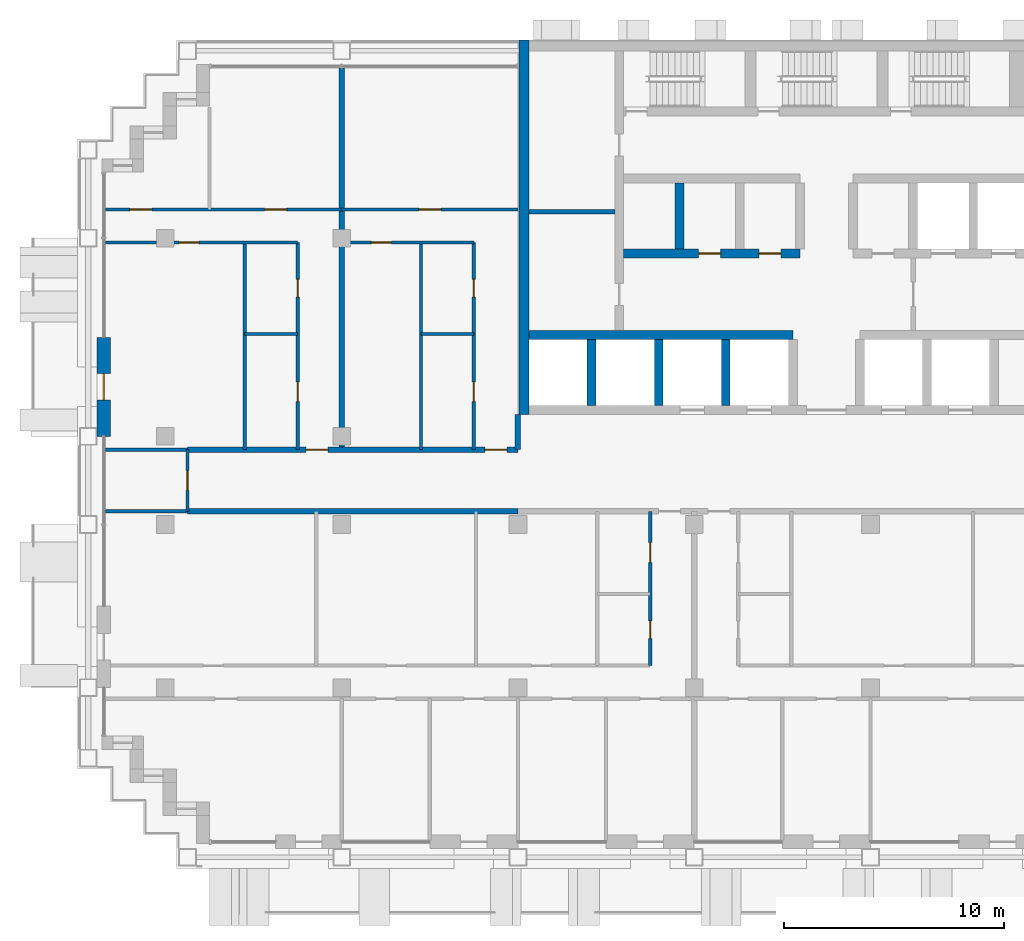
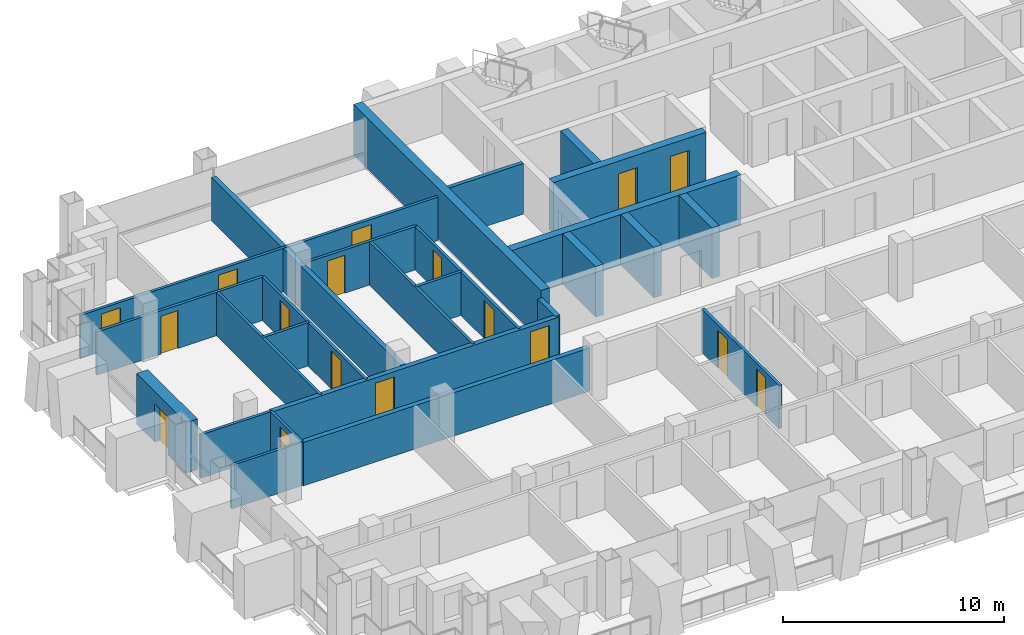
# One storey, part 8 of 17: 27 walls, 17 doors, 17 openings.
"""IFC4 building model written with IfcOpenShell, lengths in metres."""

from ifc_helpers import new_model, si_unit, direction, frame, frame_2d, origin, place, context, subcontext, project, spatial, rectangle, extrude, material, layer, layer_set, type_object, element, fill, save


model = new_model("IFC4")

# Units and contexts
model_context = context("Model", 3, precision=1e-05, world=origin(), true_north=direction((0.0, 1.0)))
body_context = subcontext(model_context, "Body", "Model", "MODEL_VIEW")
ifc_project = project(units=[si_unit("LENGTHUNIT", "METRE"), si_unit("AREAUNIT", "SQUARE_METRE"), si_unit("VOLUMEUNIT", "CUBIC_METRE"), si_unit("PLANEANGLEUNIT", "RADIAN"), si_unit("MASSUNIT", "GRAM", prefix="KILO")], contexts=[model_context])

# Site, building, storey
site_placement = place(None, origin())
site = spatial("IfcSite", under=ifc_project, at=site_placement, CompositionType="ELEMENT")
building_placement = place(site_placement, origin())
building = spatial("IfcBuilding", under=site, at=building_placement, Name="Vidyagriha Tower", CompositionType="ELEMENT")
storey_placement = place(building_placement, frame((0.0, 0.0, 148.60009765625)))
storey = spatial("IfcBuildingStorey", under=building, at=storey_placement, Name="L39", CompositionType="ELEMENT", Elevation=148.60009765625)

# Wall, opening, door
ifc_material_1 = material(Name="Precast concrete C40/50 with brick facing", Category="concrete")
ifc_layer_1 = layer(ifc_material_1, 0.60009765625)
ifc_layer_set_1 = layer_set([ifc_layer_1], Name="Precast concrete C40/50 with brick facing")
wall_type_1 = type_object("IfcWallType", Name="Brick-faced precast wall 600", PredefinedType="STANDARD", material=ifc_layer_set_1)
wall_1_placement = place(storey_placement, frame((-32.800048828125, 6.5, 0.0), z_axis=(0.0, 0.0, 1.0), x_axis=(0.0, -1.0, 0.0)))
wall_1 = element("IfcWall", 1, at=wall_1_placement, inside=storey, type_object=wall_type_1, Name="Brick door bay wall L39 R16.3", PredefinedType="STANDARD", context=body_context, shape_type="SweptSolid", body=[
    extrude(rectangle(XDim=4.5, YDim=0.60009765625, at=frame_2d((2.25, 0.0))), origin(), (0.0, 0.0, 1.0), 2.7998046875),
])
opening_1_placement = place(wall_1_placement, frame((1.64990234375, 0.0, 0.0)))
opening_1 = element("IfcOpeningElement", 2, at=opening_1_placement, cuts=wall_1, Name="Opening D39-66", PredefinedType="OPENING", context=body_context, shape_type="SweptSolid", body=[
    extrude(rectangle(XDim=1.199951171875, YDim=2.10009765625, at=frame_2d((0.60009765625, 1.050048828125))), frame((0.0, 0.31005859375, 0.0), z_axis=(0.0, -1.0, 0.0), x_axis=(1.0, 0.0, 0.0)), (0.0, 0.0, 1.0), 0.6201171875),
])
ifc_material_2 = material(Name="Aluminium framed glazed sliding door", Category="aluminium")
door_type_1 = type_object("IfcDoorType", Name="Balcony sliding door 1200x2100", OperationType="NOTDEFINED", PredefinedType="DOOR", material=ifc_material_2)
door_1_placement = place(opening_1_placement, origin())
door_1 = element("IfcDoor", 3, at=door_1_placement, inside=storey, type_object=door_type_1, Name="Door D39-66", OperationType="SLIDING_TO_LEFT", OverallHeight=2.10009765625, OverallWidth=1.199951171875, PredefinedType="DOOR", context=body_context, shape_type="SweptSolid", body=[
    extrude(rectangle(XDim=1.199951171875, YDim=2.10009765625, at=frame_2d((0.60009765625, 1.050048828125))), frame((0.0, 0.02490234375, 0.0), z_axis=(0.0, -1.0, 0.0), x_axis=(1.0, 0.0, 0.0)), (0.0, 0.0, 1.0), 0.050048828125),
])
fill(opening_1, door_1)

# Walls
ifc_material_3 = material(Name="Concrete C60/75", Category="concrete")
ifc_layer_2 = layer(ifc_material_3, 0.39990234375)
ifc_layer_set_2 = layer_set([ifc_layer_2], Name="Concrete C60/75")
wall_type_2 = type_object("IfcWallType", Name="Core shear wall 400 mm", PredefinedType="SHEAR", material=ifc_layer_set_2)
wall_2_placement = place(storey_placement, frame((-13.5, 6.60009765625, 0.0)))
element("IfcWall", 4, at=wall_2_placement, inside=storey, type_object=wall_type_2, Name="Core lobby south wall west", PredefinedType="SHEAR", context=body_context, shape_type="SweptSolid", body=[
    extrude(rectangle(XDim=11.977783203125, YDim=0.39990234375, at=frame_2d((5.98876953125, 0.0))), origin(), (0.0, 0.0, 1.0), 2.7998046875),
])
for number, where, z_axis, x_axis, name in (
    (5, (-10.655517578125, 3.39990234375, 0.0), (0.0, 0.0, 1.0), (0.0, 1.0, 0.0), "Core bay wall S1"),
    (6, (-7.611083984375, 3.39990234375, 0.0), (0.0, 0.0, 1.0), (0.0, 1.0, 0.0), "Core bay wall S2"),
    (7, (-4.566650390625, 3.39990234375, 0.0), (0.0, 0.0, 1.0), (0.0, 1.0, 0.0), "Core bay wall S3"),
):
    element("IfcWall", number, at=place(storey_placement, frame(where, z_axis=z_axis, x_axis=x_axis)), inside=storey, type_object=wall_type_2, Name=name, PredefinedType="SHEAR", context=body_context, shape_type="SweptSolid", body=[
        extrude(rectangle(XDim=3.0, YDim=0.39990234375, at=frame_2d((1.5, 0.0))), origin(), (0.0, 0.0, 1.0), 2.7998046875),
    ])

# Wall, openings, doors
wall_3_placement = place(storey_placement, frame((-9.199951171875, 10.300048828125, 0.0)))
wall_3 = element("IfcWall", 8, at=wall_3_placement, inside=storey, type_object=wall_type_2, Name="Core row N front wall", PredefinedType="SHEAR", context=body_context, shape_type="SweptSolid", body=[
    extrude(rectangle(XDim=8.0, YDim=0.39990234375, at=frame_2d((4.0, 0.0))), origin(), (0.0, 0.0, 1.0), 2.7998046875),
])
opening_2_placement = place(wall_3_placement, frame((3.39990234375, 0.0, 0.0)))
opening_2 = element("IfcOpeningElement", 9, at=opening_2_placement, cuts=wall_3, Name="Opening D39-02", PredefinedType="OPENING", context=body_context, shape_type="SweptSolid", body=[
    extrude(rectangle(XDim=1.0, YDim=2.10009765625, at=frame_2d((0.5, 1.050048828125))), frame((0.0, 0.2099609375, 0.0), z_axis=(0.0, -1.0, 0.0), x_axis=(1.0, 0.0, 0.0)), (0.0, 0.0, 1.0), 0.419921875),
])
opening_3_placement = place(wall_3_placement, frame((6.13330078125, 0.0, 0.0)))
opening_3 = element("IfcOpeningElement", 10, at=opening_3_placement, cuts=wall_3, Name="Opening D39-03", PredefinedType="OPENING", context=body_context, shape_type="SweptSolid", body=[
    extrude(rectangle(XDim=1.0, YDim=2.10009765625, at=frame_2d((0.5, 1.050048828125))), frame((0.0, 0.2099609375, 0.0), z_axis=(0.0, -1.0, 0.0), x_axis=(1.0, 0.0, 0.0)), (0.0, 0.0, 1.0), 0.419921875),
])
ifc_material_4 = material(Name="Hollow metal door leaf")
door_type_2 = type_object("IfcDoorType", Name="Core room door 1000 x 2100 mm EI 60", OperationType="NOTDEFINED", PredefinedType="DOOR", material=ifc_material_4)
door_2_placement = place(opening_2_placement, frame((1.0, 0.0, 0.0), z_axis=(0.0, 0.0, 1.0), x_axis=(-1.0, 0.0, 0.0)))
door_2 = element("IfcDoor", 11, at=door_2_placement, inside=storey, type_object=door_type_2, Name="Door Cleaners Store 39.14", OperationType="SINGLE_SWING_RIGHT", OverallHeight=2.10009765625, OverallWidth=1.0, PredefinedType="DOOR", context=body_context, shape_type="SweptSolid", body=[
    extrude(rectangle(XDim=1.0, YDim=2.10009765625, at=frame_2d((0.5, 1.050048828125))), frame((0.0, 0.02490234375, 0.0), z_axis=(0.0, -1.0, 0.0), x_axis=(1.0, 0.0, 0.0)), (0.0, 0.0, 1.0), 0.050048828125),
])
fill(opening_2, door_2)
door_3_placement = place(opening_3_placement, frame((1.0, 0.0, 0.0), z_axis=(0.0, 0.0, 1.0), x_axis=(-1.0, 0.0, 0.0)))
door_3 = element("IfcDoor", 12, at=door_3_placement, inside=storey, type_object=door_type_2, Name="Door Pressurisation Plant Room 39.15", OperationType="SINGLE_SWING_LEFT", OverallHeight=2.10009765625, OverallWidth=1.0, PredefinedType="DOOR", context=body_context, shape_type="SweptSolid", body=[
    extrude(rectangle(XDim=1.0, YDim=2.10009765625, at=frame_2d((0.5, 1.050048828125))), frame((0.0, 0.02490234375, 0.0), z_axis=(0.0, -1.0, 0.0), x_axis=(1.0, 0.0, 0.0)), (0.0, 0.0, 1.0), 0.050048828125),
])
fill(opening_3, door_3)

# Walls
wall_4_placement = place(storey_placement, frame((-6.666748046875, 10.5, 0.0), z_axis=(0.0, 0.0, 1.0), x_axis=(0.0, 1.0, 0.0)))
element("IfcWall", 13, at=wall_4_placement, inside=storey, type_object=wall_type_2, Name="Core bay wall N1", PredefinedType="SHEAR", context=body_context, shape_type="SweptSolid", body=[
    extrude(rectangle(XDim=3.0, YDim=0.39990234375, at=frame_2d((1.5, 0.0))), origin(), (0.0, 0.0, 1.0), 2.7998046875),
])
ifc_material_5 = material(Name="Concrete C60/75", Category="concrete")
ifc_layer_3 = layer(ifc_material_5, 0.449951171875)
ifc_layer_set_3 = layer_set([ifc_layer_3], Name="Concrete C60/75")
wall_type_3 = type_object("IfcWallType", Name="Core shear wall 450 mm", PredefinedType="SHEAR", material=ifc_layer_set_3)
wall_5_placement = place(storey_placement, frame((-13.72509765625, 3.0, 0.0), z_axis=(0.0, 0.0, 1.0), x_axis=(0.0, 1.0, 0.0)))
element("IfcWall", 14, at=wall_5_placement, inside=storey, type_object=wall_type_3, Name="Core west wall", PredefinedType="SHEAR", context=body_context, shape_type="SweptSolid", body=[
    extrude(rectangle(XDim=17.0, YDim=0.449951171875, at=frame_2d((8.5, 0.0))), origin(), (0.0, 0.0, 1.0), 2.7998046875),
])
ifc_material_6 = material(Name="Fired clay brick masonry", Category="masonry")
ifc_layer_4 = layer(ifc_material_6, 0.25)
ifc_layer_set_4 = layer_set([ifc_layer_4], Name="Fired clay brick masonry")
wall_type_4 = type_object("IfcWallType", Name="Fired clay brick corridor wall 250", PredefinedType="PARTITIONING", material=ifc_layer_set_4)
wall_6_placement = place(storey_placement, frame((-14.0, -1.39990234375, 0.0), z_axis=(0.0, 0.0, 1.0), x_axis=(-1.0, 0.0, 0.0)))
element("IfcWall", 15, at=wall_6_placement, inside=storey, type_object=wall_type_4, Name="Wall all-L39-w061", PredefinedType="PARTITIONING", context=body_context, shape_type="SweptSolid", body=[
    extrude(rectangle(XDim=15.0, YDim=0.25, at=frame_2d((7.5, 0.0))), origin(), (0.0, 0.0, 1.0), 2.39990234375),
])

# Wall, openings, doors
wall_7_placement = place(storey_placement, frame((-29.0, 1.39990234375, 0.0)))
wall_7 = element("IfcWall", 16, at=wall_7_placement, inside=storey, type_object=wall_type_4, Name="Wall all-L39-w088", PredefinedType="PARTITIONING", context=body_context, shape_type="SweptSolid", body=[
    extrude(rectangle(XDim=15.0, YDim=0.25, at=frame_2d((7.5, 0.0))), origin(), (0.0, 0.0, 1.0), 2.39990234375),
])
opening_4_placement = place(wall_7_placement, frame((5.382080078125, 0.0, 0.0)))
opening_4 = element("IfcOpeningElement", 17, at=opening_4_placement, cuts=wall_7, Name="Opening D39-48", PredefinedType="OPENING", context=body_context, shape_type="SweptSolid", body=[
    extrude(rectangle(XDim=1.0, YDim=2.10009765625, at=frame_2d((0.5, 1.050048828125))), frame((0.0, 0.135009765625, 0.0), z_axis=(0.0, -1.0, 0.0), x_axis=(1.0, 0.0, 0.0)), (0.0, 0.0, 1.0), 0.27001953125),
])
opening_5_placement = place(wall_7_placement, frame((13.5, 0.0, 0.0)))
opening_5 = element("IfcOpeningElement", 18, at=opening_5_placement, cuts=wall_7, Name="Opening D39-53", PredefinedType="OPENING", context=body_context, shape_type="SweptSolid", body=[
    extrude(rectangle(XDim=1.0, YDim=2.10009765625, at=frame_2d((0.5, 1.050048828125))), frame((0.0, 0.135009765625, 0.0), z_axis=(0.0, -1.0, 0.0), x_axis=(1.0, 0.0, 0.0)), (0.0, 0.0, 1.0), 0.27001953125),
])
ifc_material_7 = material(Name="Fire-rated timber door leaf EI 60", Category="wood")
door_type_3 = type_object("IfcDoorType", Name="Flat entrance fire door 1000x2100", OperationType="NOTDEFINED", PredefinedType="DOOR", material=ifc_material_7)
door_4_placement = place(opening_4_placement, origin())
door_4 = element("IfcDoor", 19, at=door_4_placement, inside=storey, type_object=door_type_3, Name="Door D39-48", OperationType="SINGLE_SWING_RIGHT", OverallHeight=2.10009765625, OverallWidth=1.0, PredefinedType="DOOR", context=body_context, shape_type="SweptSolid", body=[
    extrude(rectangle(XDim=1.0, YDim=2.10009765625, at=frame_2d((0.5, 1.050048828125))), frame((0.0, 0.02490234375, 0.0), z_axis=(0.0, -1.0, 0.0), x_axis=(1.0, 0.0, 0.0)), (0.0, 0.0, 1.0), 0.050048828125),
])
fill(opening_4, door_4)
door_5_placement = place(opening_5_placement, origin())
door_5 = element("IfcDoor", 20, at=door_5_placement, inside=storey, type_object=door_type_3, Name="Door D39-53", OperationType="SINGLE_SWING_RIGHT", OverallHeight=2.10009765625, OverallWidth=1.0, PredefinedType="DOOR", context=body_context, shape_type="SweptSolid", body=[
    extrude(rectangle(XDim=1.0, YDim=2.10009765625, at=frame_2d((0.5, 1.050048828125))), frame((0.0, 0.02490234375, 0.0), z_axis=(0.0, -1.0, 0.0), x_axis=(1.0, 0.0, 0.0)), (0.0, 0.0, 1.0), 0.050048828125),
])
fill(opening_5, door_5)

# Walls
wall_8_placement = place(storey_placement, frame((-14.0, 3.0, 0.0), z_axis=(0.0, 0.0, 1.0), x_axis=(0.0, -1.0, 0.0)))
element("IfcWall", 21, at=wall_8_placement, inside=storey, type_object=wall_type_4, Name="Wall all-L39-w118", PredefinedType="PARTITIONING", context=body_context, shape_type="SweptSolid", body=[
    extrude(rectangle(XDim=1.60009765625, YDim=0.25, at=frame_2d((0.800048828125, 0.0))), origin(), (0.0, 0.0, 1.0), 2.39990234375),
])
ifc_material_8 = material(Name="Fired clay brick masonry", Category="masonry")
ifc_layer_5 = layer(ifc_material_8, 0.25)
ifc_layer_set_5 = layer_set([ifc_layer_5], Name="Fired clay brick masonry")
wall_type_5 = type_object("IfcWallType", Name="Fired clay brick demising wall 250", PredefinedType="PARTITIONING", material=ifc_layer_set_5)
wall_9_placement = place(storey_placement, frame((-22.0, 18.720947265625, 0.0), z_axis=(0.0, 0.0, 1.0), x_axis=(0.0, -1.0, 0.0)))
element("IfcWall", 22, at=wall_9_placement, inside=storey, type_object=wall_type_5, Name="Wall all-L39-w087", PredefinedType="PARTITIONING", context=body_context, shape_type="SweptSolid", body=[
    extrude(rectangle(XDim=17.321044921875, YDim=0.25, at=frame_2d((8.66064453125, 0.0))), origin(), (0.0, 0.0, 1.0), 2.39990234375),
])
ifc_material_9 = material(Name="Gypsum board partition")
ifc_layer_6 = layer(ifc_material_9, 0.14990234375)
ifc_layer_set_6 = layer_set([ifc_layer_6], Name="Gypsum board partition")
wall_type_6 = type_object("IfcWallType", Name="Gypsum board partition 150", PredefinedType="PARTITIONING", material=ifc_layer_set_6)
wall_10_placement = place(storey_placement, frame((-29.0, -1.39990234375, 0.0), z_axis=(0.0, 0.0, 1.0), x_axis=(-1.0, 0.0, 0.0)))
element("IfcWall", 23, at=wall_10_placement, inside=storey, type_object=wall_type_6, Name="Wall all-L39-w062", PredefinedType="PARTITIONING", context=body_context, shape_type="SweptSolid", body=[
    extrude(rectangle(XDim=3.719970703125, YDim=0.14990234375, at=frame_2d((1.85986328125, 0.0))), origin(), (0.0, 0.0, 1.0), 2.39990234375),
])
wall_11_placement = place(storey_placement, frame((-26.39990234375, 6.64990234375, 0.0)))
element("IfcWall", 24, at=wall_11_placement, inside=storey, type_object=wall_type_6, Name="Wall all-L39-w068", PredefinedType="PARTITIONING", context=body_context, shape_type="SweptSolid", body=[
    extrude(rectangle(XDim=2.39990234375, YDim=0.14990234375, at=frame_2d((1.199951171875, 0.0))), origin(), (0.0, 0.0, 1.0), 2.39990234375),
])
wall_12_placement = place(storey_placement, frame((-26.39990234375, 1.39990234375, 0.0), z_axis=(0.0, 0.0, 1.0), x_axis=(0.0, 1.0, 0.0)))
element("IfcWall", 25, at=wall_12_placement, inside=storey, type_object=wall_type_6, Name="Wall all-L39-w069", PredefinedType="PARTITIONING", context=body_context, shape_type="SweptSolid", body=[
    extrude(rectangle(XDim=9.400146484375, YDim=0.14990234375, at=frame_2d((4.7001953125, 0.0))), origin(), (0.0, 0.0, 1.0), 2.39990234375),
])

# Wall, opening, door
wall_13_placement = place(storey_placement, frame((-24.0, 10.800048828125, 0.0), z_axis=(0.0, 0.0, 1.0), x_axis=(-1.0, 0.0, 0.0)))
wall_13 = element("IfcWall", 26, at=wall_13_placement, inside=storey, type_object=wall_type_6, Name="Wall all-L39-w070", PredefinedType="PARTITIONING", context=body_context, shape_type="SweptSolid", body=[
    extrude(rectangle(XDim=8.719970703125, YDim=0.14990234375, at=frame_2d((4.35986328125, 0.0))), origin(), (0.0, 0.0, 1.0), 2.39990234375),
])
opening_6_placement = place(wall_13_placement, frame((4.48193359375, 0.0, 0.0)))
opening_6 = element("IfcOpeningElement", 27, at=opening_6_placement, cuts=wall_13, Name="Opening D39-45", PredefinedType="OPENING", context=body_context, shape_type="SweptSolid", body=[
    extrude(rectangle(XDim=0.89990234375, YDim=2.10009765625, at=frame_2d((0.449951171875, 1.050048828125))), frame((0.0, 0.0849609375, 0.0), z_axis=(0.0, -1.0, 0.0), x_axis=(1.0, 0.0, 0.0)), (0.0, 0.0, 1.0), 0.169921875),
])
ifc_material_10 = material(Name="Timber door leaf", Category="wood")
door_type_4 = type_object("IfcDoorType", Name="Room door 900x2100", OperationType="NOTDEFINED", PredefinedType="DOOR", material=ifc_material_10)
door_6_placement = place(opening_6_placement, origin())
door_6 = element("IfcDoor", 28, at=door_6_placement, inside=storey, type_object=door_type_4, Name="Door D39-45", OperationType="SINGLE_SWING_LEFT", OverallHeight=2.10009765625, OverallWidth=0.89990234375, PredefinedType="DOOR", context=body_context, shape_type="SweptSolid", body=[
    extrude(rectangle(XDim=0.89990234375, YDim=2.10009765625, at=frame_2d((0.449951171875, 1.050048828125))), frame((0.0, 0.02490234375, 0.0), z_axis=(0.0, -1.0, 0.0), x_axis=(1.0, 0.0, 0.0)), (0.0, 0.0, 1.0), 0.050048828125),
])
fill(opening_6, door_6)

# Wall, openings, doors
wall_14_placement = place(storey_placement, frame((-32.719970703125, 12.300048828125, 0.0)))
wall_14 = element("IfcWall", 29, at=wall_14_placement, inside=storey, type_object=wall_type_6, Name="Wall all-L39-w072", PredefinedType="PARTITIONING", context=body_context, shape_type="SweptSolid", body=[
    extrude(rectangle(XDim=10.719970703125, YDim=0.14990234375, at=frame_2d((5.35986328125, 0.0))), origin(), (0.0, 0.0, 1.0), 2.39990234375),
])
opening_7_placement = place(wall_14_placement, frame((1.10205078125, 0.0, 0.0)))
opening_7 = element("IfcOpeningElement", 30, at=opening_7_placement, cuts=wall_14, Name="Opening D39-46", PredefinedType="OPENING", context=body_context, shape_type="SweptSolid", body=[
    extrude(rectangle(XDim=1.0, YDim=2.10009765625, at=frame_2d((0.5, 1.050048828125))), frame((0.0, 0.0849609375, 0.0), z_axis=(0.0, -1.0, 0.0), x_axis=(1.0, 0.0, 0.0)), (0.0, 0.0, 1.0), 0.169921875),
])
opening_8_placement = place(wall_14_placement, frame((7.219970703125, 0.0, 0.0)))
opening_8 = element("IfcOpeningElement", 31, at=opening_8_placement, cuts=wall_14, Name="Opening D39-47", PredefinedType="OPENING", context=body_context, shape_type="SweptSolid", body=[
    extrude(rectangle(XDim=1.0, YDim=2.10009765625, at=frame_2d((0.5, 1.050048828125))), frame((0.0, 0.0849609375, 0.0), z_axis=(0.0, -1.0, 0.0), x_axis=(1.0, 0.0, 0.0)), (0.0, 0.0, 1.0), 0.169921875),
])
ifc_material_11 = material(Name="Timber door leaf", Category="wood")
door_type_5 = type_object("IfcDoorType", Name="Room door 1000x2100", OperationType="NOTDEFINED", PredefinedType="DOOR", material=ifc_material_11)
door_7_placement = place(opening_7_placement, origin())
door_7 = element("IfcDoor", 32, at=door_7_placement, inside=storey, type_object=door_type_5, Name="Door D39-46", OperationType="SINGLE_SWING_LEFT", OverallHeight=2.10009765625, OverallWidth=1.0, PredefinedType="DOOR", context=body_context, shape_type="SweptSolid", body=[
    extrude(rectangle(XDim=1.0, YDim=2.10009765625, at=frame_2d((0.5, 1.050048828125))), frame((0.0, 0.02490234375, 0.0), z_axis=(0.0, -1.0, 0.0), x_axis=(1.0, 0.0, 0.0)), (0.0, 0.0, 1.0), 0.050048828125),
])
fill(opening_7, door_7)
door_8_placement = place(opening_8_placement, origin())
door_8 = element("IfcDoor", 33, at=door_8_placement, inside=storey, type_object=door_type_5, Name="Door D39-47", OperationType="SINGLE_SWING_RIGHT", OverallHeight=2.10009765625, OverallWidth=1.0, PredefinedType="DOOR", context=body_context, shape_type="SweptSolid", body=[
    extrude(rectangle(XDim=1.0, YDim=2.10009765625, at=frame_2d((0.5, 1.050048828125))), frame((0.0, 0.02490234375, 0.0), z_axis=(0.0, -1.0, 0.0), x_axis=(1.0, 0.0, 0.0)), (0.0, 0.0, 1.0), 0.050048828125),
])
fill(opening_8, door_8)

# Walls
wall_15_placement = place(storey_placement, frame((-18.39990234375, 6.64990234375, 0.0)))
element("IfcWall", 34, at=wall_15_placement, inside=storey, type_object=wall_type_6, Name="Wall all-L39-w080", PredefinedType="PARTITIONING", context=body_context, shape_type="SweptSolid", body=[
    extrude(rectangle(XDim=2.39990234375, YDim=0.14990234375, at=frame_2d((1.199951171875, 0.0))), origin(), (0.0, 0.0, 1.0), 2.39990234375),
])
wall_16_placement = place(storey_placement, frame((-18.39990234375, 1.39990234375, 0.0), z_axis=(0.0, 0.0, 1.0), x_axis=(0.0, 1.0, 0.0)))
element("IfcWall", 35, at=wall_16_placement, inside=storey, type_object=wall_type_6, Name="Wall all-L39-w081", PredefinedType="PARTITIONING", context=body_context, shape_type="SweptSolid", body=[
    extrude(rectangle(XDim=9.400146484375, YDim=0.14990234375, at=frame_2d((4.7001953125, 0.0))), origin(), (0.0, 0.0, 1.0), 2.39990234375),
])

# Wall, opening, door
wall_17_placement = place(storey_placement, frame((-16.0, 10.800048828125, 0.0), z_axis=(0.0, 0.0, 1.0), x_axis=(-1.0, 0.0, 0.0)))
wall_17 = element("IfcWall", 36, at=wall_17_placement, inside=storey, type_object=wall_type_6, Name="Wall all-L39-w082", PredefinedType="PARTITIONING", context=body_context, shape_type="SweptSolid", body=[
    extrude(rectangle(XDim=6.0, YDim=0.14990234375, at=frame_2d((3.0, 0.0))), origin(), (0.0, 0.0, 1.0), 2.39990234375),
])
opening_9_placement = place(wall_17_placement, frame((3.75, 0.0, 0.0)))
opening_9 = element("IfcOpeningElement", 37, at=opening_9_placement, cuts=wall_17, Name="Opening D39-51", PredefinedType="OPENING", context=body_context, shape_type="SweptSolid", body=[
    extrude(rectangle(XDim=0.89990234375, YDim=2.10009765625, at=frame_2d((0.449951171875, 1.050048828125))), frame((0.0, 0.0849609375, 0.0), z_axis=(0.0, -1.0, 0.0), x_axis=(1.0, 0.0, 0.0)), (0.0, 0.0, 1.0), 0.169921875),
])
door_9_placement = place(opening_9_placement, origin())
door_9 = element("IfcDoor", 38, at=door_9_placement, inside=storey, type_object=door_type_4, Name="Door D39-51", OperationType="SINGLE_SWING_RIGHT", OverallHeight=2.10009765625, OverallWidth=0.89990234375, PredefinedType="DOOR", context=body_context, shape_type="SweptSolid", body=[
    extrude(rectangle(XDim=0.89990234375, YDim=2.10009765625, at=frame_2d((0.449951171875, 1.050048828125))), frame((0.0, 0.02490234375, 0.0), z_axis=(0.0, -1.0, 0.0), x_axis=(1.0, 0.0, 0.0)), (0.0, 0.0, 1.0), 0.050048828125),
])
fill(opening_9, door_9)

wall_18_placement = place(storey_placement, frame((-22.0, 12.300048828125, 0.0)))
wall_18 = element("IfcWall", 39, at=wall_18_placement, inside=storey, type_object=wall_type_6, Name="Wall all-L39-w084", PredefinedType="PARTITIONING", context=body_context, shape_type="SweptSolid", body=[
    extrude(rectangle(XDim=8.0, YDim=0.14990234375, at=frame_2d((4.0, 0.0))), origin(), (0.0, 0.0, 1.0), 2.39990234375),
])
opening_10_placement = place(wall_18_placement, frame((3.5, 0.0, 0.0)))
opening_10 = element("IfcOpeningElement", 40, at=opening_10_placement, cuts=wall_18, Name="Opening D39-52", PredefinedType="OPENING", context=body_context, shape_type="SweptSolid", body=[
    extrude(rectangle(XDim=1.0, YDim=2.10009765625, at=frame_2d((0.5, 1.050048828125))), frame((0.0, 0.0849609375, 0.0), z_axis=(0.0, -1.0, 0.0), x_axis=(1.0, 0.0, 0.0)), (0.0, 0.0, 1.0), 0.169921875),
])
door_10_placement = place(opening_10_placement, origin())
door_10 = element("IfcDoor", 41, at=door_10_placement, inside=storey, type_object=door_type_5, Name="Door D39-52", OperationType="SINGLE_SWING_RIGHT", OverallHeight=2.10009765625, OverallWidth=1.0, PredefinedType="DOOR", context=body_context, shape_type="SweptSolid", body=[
    extrude(rectangle(XDim=1.0, YDim=2.10009765625, at=frame_2d((0.5, 1.050048828125))), frame((0.0, 0.02490234375, 0.0), z_axis=(0.0, -1.0, 0.0), x_axis=(1.0, 0.0, 0.0)), (0.0, 0.0, 1.0), 0.050048828125),
])
fill(opening_10, door_10)

# Wall
wall_19_placement = place(storey_placement, frame((-32.719970703125, 1.39990234375, 0.0)))
element("IfcWall", 42, at=wall_19_placement, inside=storey, type_object=wall_type_6, Name="Wall all-L39-w089", PredefinedType="PARTITIONING", context=body_context, shape_type="SweptSolid", body=[
    extrude(rectangle(XDim=3.719970703125, YDim=0.14990234375, at=frame_2d((1.85986328125, 0.0))), origin(), (0.0, 0.0, 1.0), 2.39990234375),
])

# Wall, opening, door
wall_20_placement = place(storey_placement, frame((-29.0, 1.39990234375, 0.0), z_axis=(0.0, 0.0, 1.0), x_axis=(0.0, -1.0, 0.0)))
wall_20 = element("IfcWall", 43, at=wall_20_placement, inside=storey, type_object=wall_type_6, Name="Wall all-L39-w113", PredefinedType="PARTITIONING", context=body_context, shape_type="SweptSolid", body=[
    extrude(rectangle(XDim=2.7998046875, YDim=0.14990234375, at=frame_2d((1.39990234375, 0.0))), origin(), (0.0, 0.0, 1.0), 2.39990234375),
])
opening_11_placement = place(wall_20_placement, frame((0.949951171875, 0.0, 0.0)))
opening_11 = element("IfcOpeningElement", 44, at=opening_11_placement, cuts=wall_20, Name="Opening D39-64", PredefinedType="OPENING", context=body_context, shape_type="SweptSolid", body=[
    extrude(rectangle(XDim=0.89990234375, YDim=2.10009765625, at=frame_2d((0.449951171875, 1.050048828125))), frame((0.0, 0.0849609375, 0.0), z_axis=(0.0, -1.0, 0.0), x_axis=(1.0, 0.0, 0.0)), (0.0, 0.0, 1.0), 0.169921875),
])
door_11_placement = place(opening_11_placement, origin())
door_11 = element("IfcDoor", 45, at=door_11_placement, inside=storey, type_object=door_type_4, Name="Door D39-64", OperationType="SINGLE_SWING_RIGHT", OverallHeight=2.10009765625, OverallWidth=0.89990234375, PredefinedType="DOOR", context=body_context, shape_type="SweptSolid", body=[
    extrude(rectangle(XDim=0.89990234375, YDim=2.10009765625, at=frame_2d((0.449951171875, 1.050048828125))), frame((0.0, 0.02490234375, 0.0), z_axis=(0.0, -1.0, 0.0), x_axis=(1.0, 0.0, 0.0)), (0.0, 0.0, 1.0), 0.050048828125),
])
fill(opening_11, door_11)

# Wall, openings, doors
ifc_material_12 = material(Name="Moisture resistant gypsum board partition")
ifc_layer_7 = layer(ifc_material_12, 0.14990234375)
ifc_layer_set_7 = layer_set([ifc_layer_7], Name="Moisture resistant gypsum board partition")
wall_type_7 = type_object("IfcWallType", Name="Gypsum board wet-area partition 150", PredefinedType="PARTITIONING", material=ifc_layer_set_7)
wall_21_placement = place(storey_placement, frame((-8.0, -8.39990234375, 0.0), z_axis=(0.0, 0.0, 1.0), x_axis=(0.0, 1.0, 0.0)))
wall_21 = element("IfcWall", 46, at=wall_21_placement, inside=storey, type_object=wall_type_7, Name="Wall all-L39-w001", PredefinedType="PARTITIONING", context=body_context, shape_type="SweptSolid", body=[
    extrude(rectangle(XDim=7.0, YDim=0.14990234375, at=frame_2d((3.5, 0.0))), origin(), (0.0, 0.0, 1.0), 2.39990234375),
])
opening_12_placement = place(wall_21_placement, frame((4.675048828125, 0.0, 0.0)))
opening_12 = element("IfcOpeningElement", 47, at=opening_12_placement, cuts=wall_21, Name="Opening D39-14", PredefinedType="OPENING", context=body_context, shape_type="SweptSolid", body=[
    extrude(rectangle(XDim=0.89990234375, YDim=2.10009765625, at=frame_2d((0.449951171875, 1.050048828125))), frame((0.0, 0.0849609375, 0.0), z_axis=(0.0, -1.0, 0.0), x_axis=(1.0, 0.0, 0.0)), (0.0, 0.0, 1.0), 0.169921875),
])
opening_13_placement = place(wall_21_placement, frame((1.22509765625, 0.0, 0.0)))
opening_13 = element("IfcOpeningElement", 48, at=opening_13_placement, cuts=wall_21, Name="Opening D39-15", PredefinedType="OPENING", context=body_context, shape_type="SweptSolid", body=[
    extrude(rectangle(XDim=0.800048828125, YDim=2.10009765625, at=frame_2d((0.39990234375, 1.050048828125))), frame((0.0, 0.0849609375, 0.0), z_axis=(0.0, -1.0, 0.0), x_axis=(1.0, 0.0, 0.0)), (0.0, 0.0, 1.0), 0.169921875),
])
ifc_material_13 = material(Name="Timber door leaf", Category="wood")
door_type_6 = type_object("IfcDoorType", Name="Bathroom door 800x2100", OperationType="NOTDEFINED", PredefinedType="DOOR", material=ifc_material_13)
door_12_placement = place(opening_13_placement, origin())
door_12 = element("IfcDoor", 49, at=door_12_placement, inside=storey, type_object=door_type_6, Name="Door D39-15", OperationType="SINGLE_SWING_RIGHT", OverallHeight=2.10009765625, OverallWidth=0.800048828125, PredefinedType="DOOR", context=body_context, shape_type="SweptSolid", body=[
    extrude(rectangle(XDim=0.800048828125, YDim=2.10009765625, at=frame_2d((0.39990234375, 1.050048828125))), frame((0.0, 0.02490234375, 0.0), z_axis=(0.0, -1.0, 0.0), x_axis=(1.0, 0.0, 0.0)), (0.0, 0.0, 1.0), 0.050048828125),
])
fill(opening_13, door_12)
ifc_material_14 = material(Name="Timber door leaf", Category="wood")
door_type_7 = type_object("IfcDoorType", Name="Kitchen door 900x2100", OperationType="NOTDEFINED", PredefinedType="DOOR", material=ifc_material_14)
door_13_placement = place(opening_12_placement, origin())
door_13 = element("IfcDoor", 50, at=door_13_placement, inside=storey, type_object=door_type_7, Name="Door D39-14", OperationType="SINGLE_SWING_LEFT", OverallHeight=2.10009765625, OverallWidth=0.89990234375, PredefinedType="DOOR", context=body_context, shape_type="SweptSolid", body=[
    extrude(rectangle(XDim=0.89990234375, YDim=2.10009765625, at=frame_2d((0.449951171875, 1.050048828125))), frame((0.0, 0.02490234375, 0.0), z_axis=(0.0, -1.0, 0.0), x_axis=(1.0, 0.0, 0.0)), (0.0, 0.0, 1.0), 0.050048828125),
])
fill(opening_12, door_13)

wall_22_placement = place(storey_placement, frame((-24.0, 1.39990234375, 0.0), z_axis=(0.0, 0.0, 1.0), x_axis=(0.0, 1.0, 0.0)))
wall_22 = element("IfcWall", 51, at=wall_22_placement, inside=storey, type_object=wall_type_7, Name="Wall all-L39-w065", PredefinedType="PARTITIONING", context=body_context, shape_type="SweptSolid", body=[
    extrude(rectangle(XDim=9.400146484375, YDim=0.14990234375, at=frame_2d((4.7001953125, 0.0))), origin(), (0.0, 0.0, 1.0), 2.39990234375),
])
opening_14_placement = place(wall_22_placement, frame((2.175048828125, 0.0, 0.0)))
opening_14 = element("IfcOpeningElement", 52, at=opening_14_placement, cuts=wall_22, Name="Opening D39-43", PredefinedType="OPENING", context=body_context, shape_type="SweptSolid", body=[
    extrude(rectangle(XDim=0.89990234375, YDim=2.10009765625, at=frame_2d((0.449951171875, 1.050048828125))), frame((0.0, 0.0849609375, 0.0), z_axis=(0.0, -1.0, 0.0), x_axis=(1.0, 0.0, 0.0)), (0.0, 0.0, 1.0), 0.169921875),
])
opening_15_placement = place(wall_22_placement, frame((6.925048828125, 0.0, 0.0)))
opening_15 = element("IfcOpeningElement", 53, at=opening_15_placement, cuts=wall_22, Name="Opening D39-44", PredefinedType="OPENING", context=body_context, shape_type="SweptSolid", body=[
    extrude(rectangle(XDim=0.800048828125, YDim=2.10009765625, at=frame_2d((0.39990234375, 1.050048828125))), frame((0.0, 0.0849609375, 0.0), z_axis=(0.0, -1.0, 0.0), x_axis=(1.0, 0.0, 0.0)), (0.0, 0.0, 1.0), 0.169921875),
])
door_14_placement = place(opening_15_placement, origin())
door_14 = element("IfcDoor", 54, at=door_14_placement, inside=storey, type_object=door_type_6, Name="Door D39-44", OperationType="SINGLE_SWING_LEFT", OverallHeight=2.10009765625, OverallWidth=0.800048828125, PredefinedType="DOOR", context=body_context, shape_type="SweptSolid", body=[
    extrude(rectangle(XDim=0.800048828125, YDim=2.10009765625, at=frame_2d((0.39990234375, 1.050048828125))), frame((0.0, 0.02490234375, 0.0), z_axis=(0.0, -1.0, 0.0), x_axis=(1.0, 0.0, 0.0)), (0.0, 0.0, 1.0), 0.050048828125),
])
fill(opening_15, door_14)
door_15_placement = place(opening_14_placement, origin())
door_15 = element("IfcDoor", 55, at=door_15_placement, inside=storey, type_object=door_type_7, Name="Door D39-43", OperationType="SINGLE_SWING_RIGHT", OverallHeight=2.10009765625, OverallWidth=0.89990234375, PredefinedType="DOOR", context=body_context, shape_type="SweptSolid", body=[
    extrude(rectangle(XDim=0.89990234375, YDim=2.10009765625, at=frame_2d((0.449951171875, 1.050048828125))), frame((0.0, 0.02490234375, 0.0), z_axis=(0.0, -1.0, 0.0), x_axis=(1.0, 0.0, 0.0)), (0.0, 0.0, 1.0), 0.050048828125),
])
fill(opening_14, door_15)

wall_23_placement = place(storey_placement, frame((-16.0, 1.39990234375, 0.0), z_axis=(0.0, 0.0, 1.0), x_axis=(0.0, 1.0, 0.0)))
wall_23 = element("IfcWall", 56, at=wall_23_placement, inside=storey, type_object=wall_type_7, Name="Wall all-L39-w077", PredefinedType="PARTITIONING", context=body_context, shape_type="SweptSolid", body=[
    extrude(rectangle(XDim=9.400146484375, YDim=0.14990234375, at=frame_2d((4.7001953125, 0.0))), origin(), (0.0, 0.0, 1.0), 2.39990234375),
])
opening_16_placement = place(wall_23_placement, frame((2.175048828125, 0.0, 0.0)))
opening_16 = element("IfcOpeningElement", 57, at=opening_16_placement, cuts=wall_23, Name="Opening D39-49", PredefinedType="OPENING", context=body_context, shape_type="SweptSolid", body=[
    extrude(rectangle(XDim=0.89990234375, YDim=2.10009765625, at=frame_2d((0.449951171875, 1.050048828125))), frame((0.0, 0.0849609375, 0.0), z_axis=(0.0, -1.0, 0.0), x_axis=(1.0, 0.0, 0.0)), (0.0, 0.0, 1.0), 0.169921875),
])
opening_17_placement = place(wall_23_placement, frame((6.925048828125, 0.0, 0.0)))
opening_17 = element("IfcOpeningElement", 58, at=opening_17_placement, cuts=wall_23, Name="Opening D39-50", PredefinedType="OPENING", context=body_context, shape_type="SweptSolid", body=[
    extrude(rectangle(XDim=0.800048828125, YDim=2.10009765625, at=frame_2d((0.39990234375, 1.050048828125))), frame((0.0, 0.0849609375, 0.0), z_axis=(0.0, -1.0, 0.0), x_axis=(1.0, 0.0, 0.0)), (0.0, 0.0, 1.0), 0.169921875),
])
door_16_placement = place(opening_17_placement, origin())
door_16 = element("IfcDoor", 59, at=door_16_placement, inside=storey, type_object=door_type_6, Name="Door D39-50", OperationType="SINGLE_SWING_LEFT", OverallHeight=2.10009765625, OverallWidth=0.800048828125, PredefinedType="DOOR", context=body_context, shape_type="SweptSolid", body=[
    extrude(rectangle(XDim=0.800048828125, YDim=2.10009765625, at=frame_2d((0.39990234375, 1.050048828125))), frame((0.0, 0.02490234375, 0.0), z_axis=(0.0, -1.0, 0.0), x_axis=(1.0, 0.0, 0.0)), (0.0, 0.0, 1.0), 0.050048828125),
])
fill(opening_17, door_16)
door_17_placement = place(opening_16_placement, origin())
door_17 = element("IfcDoor", 60, at=door_17_placement, inside=storey, type_object=door_type_7, Name="Door D39-49", OperationType="SINGLE_SWING_RIGHT", OverallHeight=2.10009765625, OverallWidth=0.89990234375, PredefinedType="DOOR", context=body_context, shape_type="SweptSolid", body=[
    extrude(rectangle(XDim=0.89990234375, YDim=2.10009765625, at=frame_2d((0.449951171875, 1.050048828125))), frame((0.0, 0.02490234375, 0.0), z_axis=(0.0, -1.0, 0.0), x_axis=(1.0, 0.0, 0.0)), (0.0, 0.0, 1.0), 0.050048828125),
])
fill(opening_16, door_17)

# Wall
ifc_material_15 = material(Name="Blockwork 15 MPa", Category="masonry")
ifc_layer_8 = layer(ifc_material_15, 0.199951171875)
ifc_layer_set_8 = layer_set([ifc_layer_8], Name="Blockwork 15 MPa")
wall_type_8 = type_object("IfcWallType", Name="Service room partition 200 mm", PredefinedType="PARTITIONING", material=ifc_layer_set_8)
wall_24_placement = place(storey_placement, frame((-13.5, 12.199951171875, 0.0)))
element("IfcWall", 61, at=wall_24_placement, inside=storey, type_object=wall_type_8, Name="Core room partition W1", PredefinedType="PARTITIONING", context=body_context, shape_type="SweptSolid", body=[
    extrude(rectangle(XDim=3.89990234375, YDim=0.199951171875, at=frame_2d((1.949951171875, 0.0))), origin(), (0.0, 0.0, 1.0), 2.7998046875),
])

save(model, "model.ifc")
